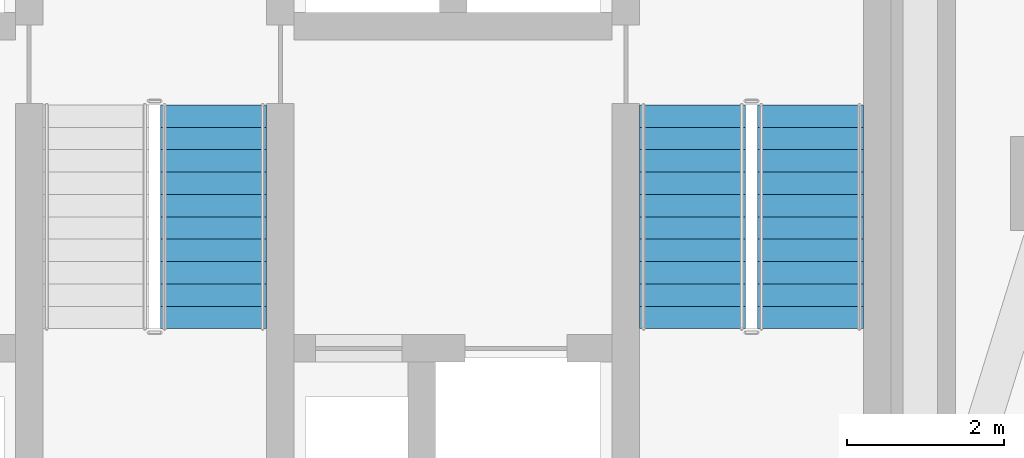
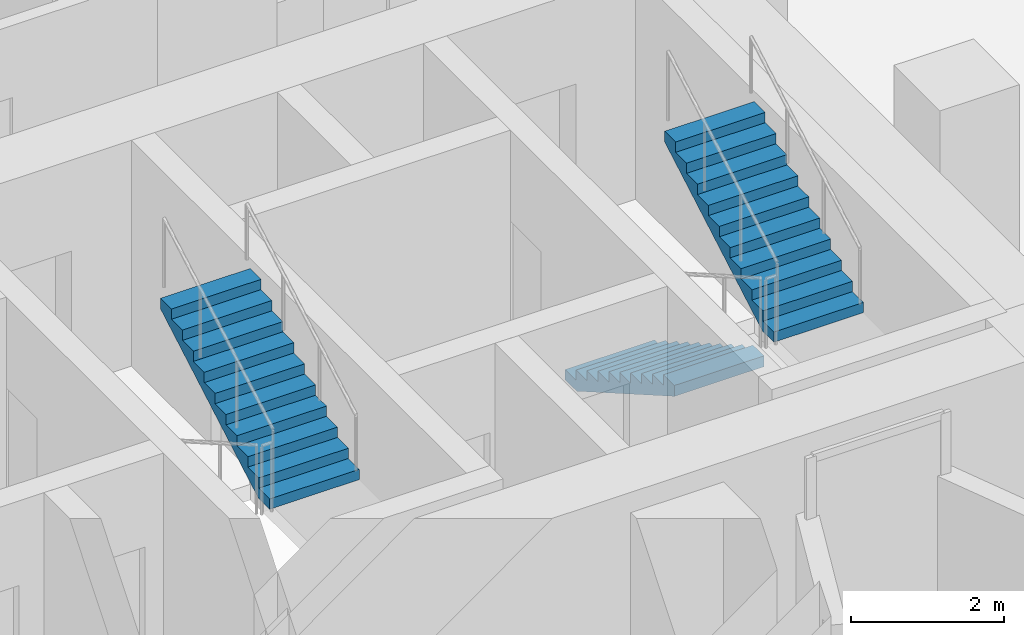
# One storey, part 11 of 14: 3 stair flights, 2 elements without a shape of their own.
"""IFC4 building model written with IfcOpenShell, lengths in metres."""

from ifc_helpers import new_model, si_unit, direction, frame, origin, place, context, subcontext, project, spatial, polyline, outline, extrude, material, type_object, element, aggregate, save


model = new_model("IFC4")

# Units and contexts
model_context = context("Model", 3, precision=1e-05, world=origin(), true_north=direction((0.0, 1.0)))
body_context = subcontext(model_context, "Body", "Model", "MODEL_VIEW")
ifc_project = project(units=[si_unit("LENGTHUNIT", "METRE"), si_unit("AREAUNIT", "SQUARE_METRE"), si_unit("VOLUMEUNIT", "CUBIC_METRE"), si_unit("PLANEANGLEUNIT", "RADIAN"), si_unit("MASSUNIT", "GRAM", prefix="KILO")], contexts=[model_context])

# Site, building, storey
site_placement = place(None, origin())
site = spatial("IfcSite", under=ifc_project, at=site_placement, CompositionType="ELEMENT")
building_placement = place(site_placement, origin())
building = spatial("IfcBuilding", under=site, at=building_placement, Name="Almagre Mirador Tower", CompositionType="ELEMENT")
storey_placement = place(building_placement, frame((0.0, 0.0, 60.60009765625)))
storey = spatial("IfcBuildingStorey", under=building, at=storey_placement, Name="L14", CompositionType="ELEMENT", Elevation=60.60009765625)

# Stair, stair flight
ifc_material_1 = material(Name="Concrete C45/55", Category="concrete")
stair_type = type_object("IfcStairType", Name="STR-DL-3600", PredefinedType="HALF_TURN_STAIR", material=ifc_material_1)
stair_1_placement = place(storey_placement, origin())
stair_1 = element("IfcStair", 1, at=stair_1_placement, inside=storey, type_object=stair_type, Name="L14 Protected exit stair ST-2", PredefinedType="HALF_TURN_STAIR")
ifc_material_2 = material(Name="Concrete C45/55", Category="concrete")
stair_flight_type = type_object("IfcStairFlightType", Name="FLT-DL-3600", PredefinedType="STRAIGHT", material=ifc_material_2)
stair_flight_1_placement = place(storey_placement, frame((38.050048828125, 8.35009765625, 1.7998046875), z_axis=(0.0, 0.0, 1.0), x_axis=(0.0, 1.0, 0.0)))
stair_flight_1 = element("IfcStairFlight", 2, at=stair_flight_1_placement, type_object=stair_flight_type, Name="ST-2 flight 2", NumberOfRisers=11, NumberOfTreads=10, PredefinedType="STRAIGHT", RiserHeight=0.163636364, TreadLength=0.285, context=body_context, shape_type="SweptSolid", body=[
    extrude(outline(polyline([(0.0, 0.0), (0.0, 0.16357421875), (0.284912109375, 0.16357421875), (0.284912109375, 0.327392578125), (0.570068359375, 0.327392578125), (0.570068359375, 0.490966796875), (0.85498046875, 0.490966796875), (0.85498046875, 0.654541015625), (1.139892578125, 0.654541015625), (1.139892578125, 0.818115234375), (1.425048828125, 0.818115234375), (1.425048828125, 0.98193359375), (1.7099609375, 0.98193359375), (1.7099609375, 1.1455078125), (1.9951171875, 1.1455078125), (1.9951171875, 1.30908203125), (2.280029296875, 1.30908203125), (2.280029296875, 1.47265625), (2.56494140625, 1.47265625), (2.56494140625, 1.636474609375), (2.85009765625, 1.636474609375), (2.85009765625, 1.800048828125), (2.85009765625, 1.463623046875), (0.301025390625, 0.0), (0.0, 0.0)])), frame((0.0, 0.675048828125, 0.0), z_axis=(0.0, -1.0, 0.0), x_axis=(1.0, 0.0, 0.0)), (0.0, 0.0, 1.0), 1.35009765625),
])
aggregate(stair_1, [stair_flight_1])

# Stair, stair flights
stair_2_placement = place(storey_placement, origin())
stair_2 = element("IfcStair", 3, at=stair_2_placement, inside=storey, type_object=stair_type, Name="L14 Protected exit stair ST-3", PredefinedType="HALF_TURN_STAIR")
stair_flight_2_placement = place(storey_placement, frame((44.14990234375, 11.199951171875, 0.0), z_axis=(0.0, 0.0, 1.0), x_axis=(0.0, -1.0, 0.0)))
stair_flight_2 = element("IfcStairFlight", 4, at=stair_flight_2_placement, type_object=stair_flight_type, Name="ST-3 flight 1", NumberOfRisers=11, NumberOfTreads=10, PredefinedType="STRAIGHT", RiserHeight=0.163636364, TreadLength=0.285, context=body_context, shape_type="SweptSolid", body=[
    extrude(outline(polyline([(0.0, 0.0), (0.0, 0.16357421875), (0.284912109375, 0.16357421875), (0.284912109375, 0.327392578125), (0.570068359375, 0.327392578125), (0.570068359375, 0.490966796875), (0.85498046875, 0.490966796875), (0.85498046875, 0.654541015625), (1.139892578125, 0.654541015625), (1.139892578125, 0.818115234375), (1.425048828125, 0.818115234375), (1.425048828125, 0.98193359375), (1.7099609375, 0.98193359375), (1.7099609375, 1.1455078125), (1.9951171875, 1.1455078125), (1.9951171875, 1.30908203125), (2.280029296875, 1.30908203125), (2.280029296875, 1.47265625), (2.56494140625, 1.47265625), (2.56494140625, 1.636474609375), (2.85009765625, 1.636474609375), (2.85009765625, 1.800048828125), (2.85009765625, 1.463623046875), (0.301025390625, 0.0), (0.0, 0.0)])), frame((0.0, 0.675048828125, 0.0), z_axis=(0.0, -1.0, 0.0), x_axis=(1.0, 0.0, 0.0)), (0.0, 0.0, 1.0), 1.35009765625),
])
stair_flight_3_placement = place(storey_placement, frame((45.64990234375, 8.35009765625, 1.7998046875), z_axis=(0.0, 0.0, 1.0), x_axis=(0.0, 1.0, 0.0)))
stair_flight_3 = element("IfcStairFlight", 5, at=stair_flight_3_placement, type_object=stair_flight_type, Name="ST-3 flight 2", NumberOfRisers=11, NumberOfTreads=10, PredefinedType="STRAIGHT", RiserHeight=0.163636364, TreadLength=0.285, context=body_context, shape_type="SweptSolid", body=[
    extrude(outline(polyline([(0.0, 0.0), (0.0, 0.16357421875), (0.284912109375, 0.16357421875), (0.284912109375, 0.327392578125), (0.570068359375, 0.327392578125), (0.570068359375, 0.490966796875), (0.85498046875, 0.490966796875), (0.85498046875, 0.654541015625), (1.139892578125, 0.654541015625), (1.139892578125, 0.818115234375), (1.425048828125, 0.818115234375), (1.425048828125, 0.98193359375), (1.7099609375, 0.98193359375), (1.7099609375, 1.1455078125), (1.9951171875, 1.1455078125), (1.9951171875, 1.30908203125), (2.280029296875, 1.30908203125), (2.280029296875, 1.47265625), (2.56494140625, 1.47265625), (2.56494140625, 1.636474609375), (2.85009765625, 1.636474609375), (2.85009765625, 1.800048828125), (2.85009765625, 1.463623046875), (0.301025390625, 0.0), (0.0, 0.0)])), frame((0.0, 0.675048828125, 0.0), z_axis=(0.0, -1.0, 0.0), x_axis=(1.0, 0.0, 0.0)), (0.0, 0.0, 1.0), 1.35009765625),
])
aggregate(stair_2, [stair_flight_2, stair_flight_3])

save(model, "model.ifc")
